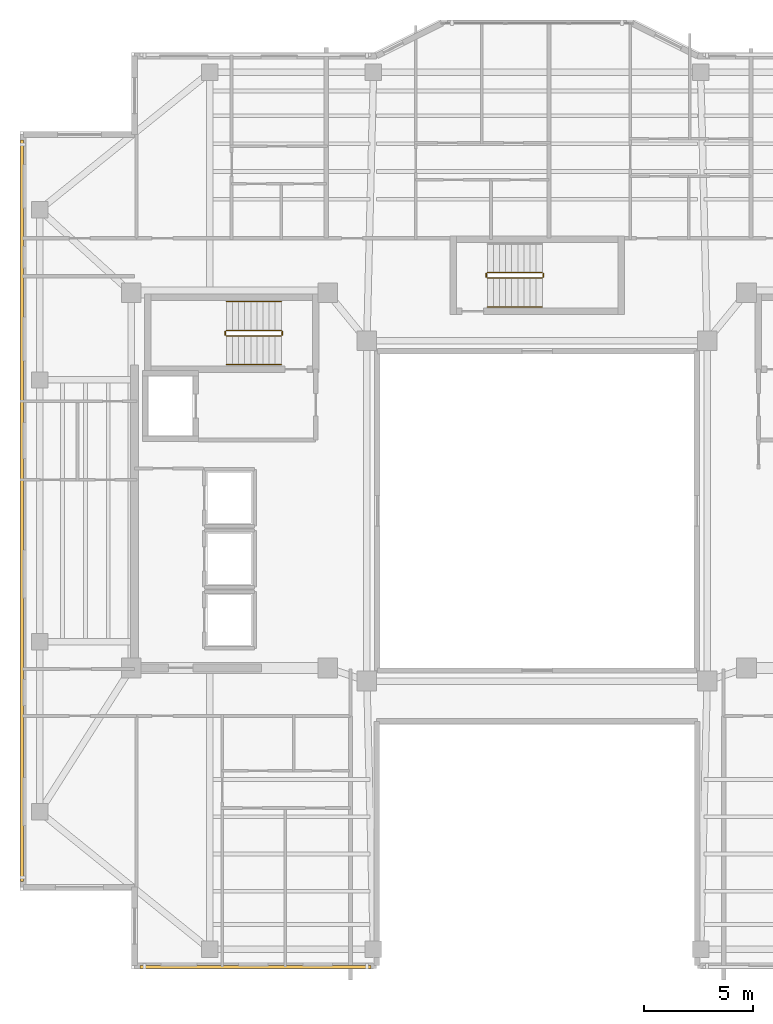
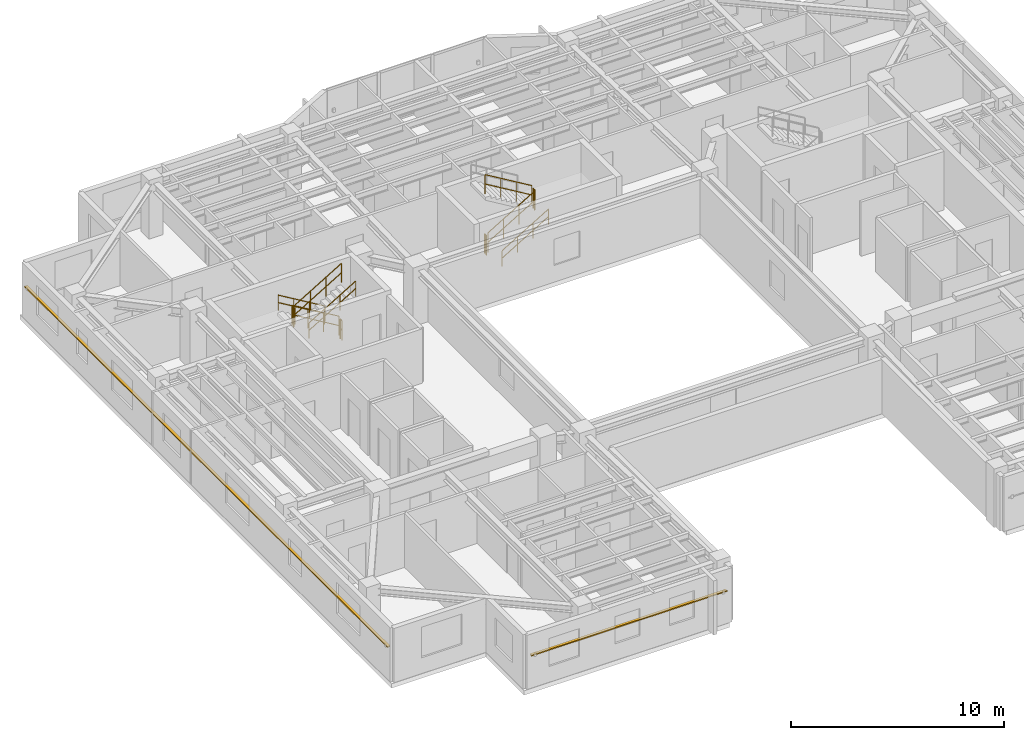
# One storey, part 10 of 12: 11 railings, 2 shading devices.
"""IFC4 building model written with IfcOpenShell, lengths in metres."""

import ifcopenshell
import ifcopenshell.guid

model = None  # the IFC model being written
_history = None  # IfcOwnerHistory: only IFC2X3 demands one
_inside = {}  # id of a spatial element -> (the spatial element, [elements in it])
_under = {}  # id of a project, library or spatial element -> (it, [spatial elements below it])
_declared = {}  # id of a project -> (the project, [libraries it declares])
_typed = {}  # id of a type object -> (the type object, [elements of that type])
_made_of = {}  # id of a material, layer set ... -> (it, [elements and type objects made of it])


def new_model(schema):
    """Start an empty IFC model of exactly this schema.

    Asked for "IFC4X3", IfcOpenShell would pick the latest addendum, in which some entities
    have other attributes; the version numbers below select the first issue.
    IFC2X3 requires an IfcOwnerHistory on every rooted entity: one is made here for all.
    """
    global model, _history
    if schema == "IFC4X3":
        model = ifcopenshell.file(schema_version=(4, 3, 0, 0))
    else:
        model = ifcopenshell.file(schema=schema)
    _inside.clear()
    _under.clear()
    _declared.clear()
    _typed.clear()
    _made_of.clear()
    _history = None
    if model.schema == "IFC2X3":
        org = make("IfcOrganization", Name="unknown")
        user = make(
            "IfcPersonAndOrganization",
            ThePerson=make("IfcPerson", FamilyName="unknown"),
            TheOrganization=org,
        )
        app = make(
            "IfcApplication",
            ApplicationDeveloper=org,
            Version="unknown",
            ApplicationFullName="unknown",
            ApplicationIdentifier="unknown",
        )
        _history = make(
            "IfcOwnerHistory",
            OwningUser=user,
            OwningApplication=app,
            ChangeAction="ADDED",
            CreationDate=0,
        )
    return model


def make(cls, **values):
    """One entity of the class cls with the attributes given. An attribute that is None is left unset."""
    return model.create_entity(
        cls, **{name: value for name, value in values.items() if value is not None}
    )


def rooted(cls, **values):
    """An entity with a GlobalId (a new one), such as an element, a storey or a relation."""
    return make(cls, GlobalId=ifcopenshell.guid.new(), OwnerHistory=_history, **values)


def si_unit(unit_type, name, prefix=None):
    """IfcSIUnit, for example si_unit("LENGTHUNIT", "METRE", prefix="MILLI")."""
    return make("IfcSIUnit", UnitType=unit_type, Prefix=prefix, Name=name)


def assignment(units):
    """IfcUnitAssignment: the units of a project."""
    return None if units is None else make("IfcUnitAssignment", Units=units)


def point(xyz):
    """IfcCartesianPoint."""
    return None if xyz is None else make("IfcCartesianPoint", Coordinates=xyz)


def direction(xyz):
    """IfcDirection."""
    return None if xyz is None else make("IfcDirection", DirectionRatios=xyz)


def frame(location, z_axis=None, x_axis=None):
    """IfcAxis2Placement3D, a coordinate frame: its origin and axes. An axis left out is left unset."""
    return make(
        "IfcAxis2Placement3D",
        Location=point(location),
        Axis=direction(z_axis),
        RefDirection=direction(x_axis),
    )


def frame_2d(location, x_axis=None):
    """IfcAxis2Placement2D, a coordinate frame in the plane: its origin and x axis."""
    return make(
        "IfcAxis2Placement2D", Location=point(location), RefDirection=direction(x_axis)
    )


def origin():
    """The frame at (0, 0, 0) with its axes left unset."""
    return frame((0.0, 0.0, 0.0))


def origin_2d():
    """The frame at (0, 0) in the plane with its x axis left unset."""
    return frame_2d((0.0, 0.0))


def place(relative_to, where):
    """IfcLocalPlacement: puts the frame where relative to a parent placement (None: the world)."""
    return make(
        "IfcLocalPlacement", PlacementRelTo=relative_to, RelativePlacement=where
    )


def context(
    kind, dimensions, precision=None, world=None, true_north=None, identifier=None
):
    """IfcGeometricRepresentationContext, for example the 3D "Model" context."""
    return make(
        "IfcGeometricRepresentationContext",
        ContextIdentifier=identifier,
        ContextType=kind,
        CoordinateSpaceDimension=dimensions,
        Precision=precision,
        WorldCoordinateSystem=world,
        TrueNorth=true_north,
    )


def subcontext(parent, identifier, kind, view, scale=None):
    """IfcGeometricRepresentationSubContext, for example "Body" below "Model"."""
    return make(
        "IfcGeometricRepresentationSubContext",
        ContextIdentifier=identifier,
        ContextType=kind,
        ParentContext=parent,
        TargetScale=scale,
        TargetView=view,
    )


def project(units=None, contexts=None):
    """IfcProject with its units and contexts."""
    return rooted(
        "IfcProject",
        Name="project",
        RepresentationContexts=contexts,
        UnitsInContext=assignment(units),
    )


def spatial(cls, under=None, at=None, **own):
    """A site, building, storey or space (cls), placed at a placement, below another one or the project."""
    s = rooted(cls, ObjectPlacement=at, **own)
    if under is not None:
        _under.setdefault(under.id(), (under, []))[1].append(s)
    return s


def profile(cls, at=None, kind="AREA", **sizes):
    """A parametric profile (cls). Its sizes go by their IFC names, for example OverallWidth=200.0."""
    return make(cls, ProfileType=kind, Position=at, **sizes)


def rectangle(**sizes):
    """IfcRectangleProfileDef."""
    return profile("IfcRectangleProfileDef", **sizes)


def circle(**sizes):
    """IfcCircleProfileDef."""
    return profile("IfcCircleProfileDef", **sizes)


def extrude(swept, where, along, depth):
    """IfcExtrudedAreaSolid: the profile swept, set in the frame where, extruded along a direction by depth."""
    return make(
        "IfcExtrudedAreaSolid",
        SweptArea=swept,
        Position=where,
        ExtrudedDirection=direction(along),
        Depth=depth,
    )


def shape(context_of_items, identifier, shape_type, items):
    """IfcShapeRepresentation: the items that make up one representation, for example the "Body"."""
    return make(
        "IfcShapeRepresentation",
        ContextOfItems=context_of_items,
        RepresentationIdentifier=identifier,
        RepresentationType=shape_type,
        Items=items,
    )


def material(Name=None, Category=None):
    """IfcMaterial."""
    return make("IfcMaterial", Name=Name, Category=Category)


def material_profile(
    of_material, cross_section, Name=None, Category=None, Priority=None
):
    """IfcMaterialProfile: a cross section and its material."""
    return make(
        "IfcMaterialProfile",
        Name=Name,
        Material=of_material,
        Profile=cross_section,
        Priority=Priority,
        Category=Category,
    )


def profile_set(profiles, Name=None, composite=None):
    """IfcMaterialProfileSet."""
    return make(
        "IfcMaterialProfileSet",
        Name=Name,
        MaterialProfiles=profiles,
        CompositeProfile=composite,
    )


def made_of(thing, what):
    """Note that an element or type object is made of a material, layer set ...; save() writes the relation."""
    if what is not None:
        _made_of.setdefault(what.id(), (what, []))[1].append(thing)
    return thing


def type_object(cls, material=None, **own):
    """A type object (cls), such as IfcWallType, which elements share."""
    return made_of(rooted(cls, **own), material)


def element(
    cls,
    number,
    at=None,
    inside=None,
    cuts=None,
    type_object=None,
    material=None,
    context=None,
    identifier="Body",
    shape_type=None,
    held_by="IfcProductDefinitionShape",
    body=None,
    shapes=None,
    **own,
):
    """One element of the class cls, such as IfcWall. Its Tag is "e" and its number.

    at: its placement. inside: the storey or other place that contains it. cuts: it is an
    opening in that element (IfcRelVoidsElement). A single representation is given by context,
    identifier, shape_type and body (its items); several are given by shapes. held_by: the class
    of the entity that holds the representations. save() writes the other relations.
    """
    e = rooted(cls, Tag="e%d" % number, ObjectPlacement=at, **own)
    if body is not None:
        shapes = [shape(context, identifier, shape_type, body)]
    if shapes is not None:
        e.Representation = make(held_by, Representations=shapes)
    if inside is not None:
        _inside.setdefault(inside.id(), (inside, []))[1].append(e)
    if cuts is not None:
        rooted(
            "IfcRelVoidsElement", RelatingBuildingElement=cuts, RelatedOpeningElement=e
        )
    if type_object is not None:
        _typed.setdefault(type_object.id(), (type_object, []))[1].append(e)
    return made_of(e, material)


def aggregate(whole, parts):
    """IfcRelAggregates: a whole, such as a stair, and the parts it consists of."""
    return rooted("IfcRelAggregates", RelatingObject=whole, RelatedObjects=parts)


def save(model, path):
    """Write the relations noted so far, then the file.

    IfcRelAggregates (storeys below a building ...), IfcRelContainedInSpatialStructure (elements
    in a storey), IfcRelDefinesByType, IfcRelAssociatesMaterial and IfcRelDeclares: one each for
    every whole, place, type object, material and project.
    """
    for whole, parts in _under.values():
        aggregate(whole, parts)
    for where, things in _inside.values():
        rooted(
            "IfcRelContainedInSpatialStructure",
            RelatedElements=things,
            RelatingStructure=where,
        )
    for kind, things in _typed.values():
        rooted("IfcRelDefinesByType", RelatedObjects=things, RelatingType=kind)
    for what, things in _made_of.values():
        rooted("IfcRelAssociatesMaterial", RelatedObjects=things, RelatingMaterial=what)
    for by, libraries in _declared.values():
        rooted("IfcRelDeclares", RelatingContext=by, RelatedDefinitions=libraries)
    model.write(path)


model = new_model("IFC4")

# Units and contexts
model_context = context("Model", 3, precision=1e-05, world=origin(), true_north=direction((0.0, 1.0)))
body_context = subcontext(model_context, "Body", "Model", "MODEL_VIEW")
ifc_project = project(units=[si_unit("LENGTHUNIT", "METRE"), si_unit("AREAUNIT", "SQUARE_METRE"), si_unit("VOLUMEUNIT", "CUBIC_METRE"), si_unit("PLANEANGLEUNIT", "RADIAN"), si_unit("MASSUNIT", "GRAM", prefix="KILO")], contexts=[model_context])

# Site, building, storey
site_placement = place(None, origin())
site = spatial("IfcSite", under=ifc_project, at=site_placement, CompositionType="ELEMENT")
building_placement = place(site_placement, origin())
building = spatial("IfcBuilding", under=site, at=building_placement, Name="Tarnavaz Court Tower", CompositionType="ELEMENT")
storey_placement = place(building_placement, frame((0.0, 0.0, 200.300048828125)))
storey = spatial("IfcBuildingStorey", under=building, at=storey_placement, Name="L54", CompositionType="ELEMENT", Elevation=200.300048828125)

# Railings
ifc_material_1 = material(Name="Brushed Stainless Steel", Category="steel")
railing_type_1 = type_object("IfcRailingType", Name="RL-HANDRAIL-900", PredefinedType="HANDRAIL", material=ifc_material_1)
railing_1_placement = place(storey_placement, frame((-11.719970703125, 9.590087890625, 0.16748046875)))
element("IfcRailing", 1, at=railing_1_placement, inside=storey, type_object=railing_type_1, Name="L54 ST-W1 stair handrail 1", PredefinedType="HANDRAIL", context=body_context, shape_type="SweptSolid", body=[
    extrude(circle(Radius=0.02392578125, at=origin_2d()), frame((0.0, 0.0, 0.8759765625), z_axis=(-0.858159760407, 0.0, 0.513382728203), x_axis=(0.0, -1.0, 0.0)), (0.0, 0.0, 1.0), 2.9365234375),
    extrude(circle(Radius=0.02392578125, at=origin_2d()), frame((0.0, 0.0, 0.449951171875), z_axis=(-0.858159760407, 0.0, 0.513382728203), x_axis=(0.0, -1.0, 0.0)), (0.0, 0.0, 1.0), 2.9365234375),
    extrude(circle(Radius=0.02099609375, at=origin_2d()), origin(), (0.0, 0.0, 1.0), 0.851806640625),
    extrude(circle(Radius=0.02099609375, at=origin_2d()), frame((-0.840087890625, 0.0, 0.50244140625)), (0.0, 0.0, 1.0), 0.851806640625),
    extrude(circle(Radius=0.02099609375, at=origin_2d()), frame((-1.679931640625, 0.0, 1.005126953125)), (0.0, 0.0, 1.0), 0.851806640625),
    extrude(circle(Radius=0.02099609375, at=origin_2d()), frame((-2.52001953125, 0.0, 1.507568359375)), (0.0, 0.0, 1.0), 0.851806640625),
])
railing_2_placement = place(storey_placement, frame((-14.239990234375, 6.699951171875, 1.842529296875)))
element("IfcRailing", 2, at=railing_2_placement, inside=storey, type_object=railing_type_1, Name="L54 ST-W1 stair handrail 2", PredefinedType="HANDRAIL", context=body_context, shape_type="SweptSolid", body=[
    extrude(circle(Radius=0.02392578125, at=origin_2d()), frame((0.0, 0.0, 0.8759765625), z_axis=(0.858196387827, 0.0, 0.513321497621), x_axis=(0.0, 1.0, 0.0)), (0.0, 0.0, 1.0), 2.9365234375),
    extrude(circle(Radius=0.02392578125, at=origin_2d()), frame((0.0, 0.0, 0.449951171875), z_axis=(0.858196387827, 0.0, 0.513321497621), x_axis=(0.0, 1.0, 0.0)), (0.0, 0.0, 1.0), 2.9365234375),
    extrude(circle(Radius=0.02099609375, at=origin_2d()), origin(), (0.0, 0.0, 1.0), 0.851806640625),
    extrude(circle(Radius=0.02099609375, at=origin_2d()), frame((0.840087890625, 0.0, 0.50244140625)), (0.0, 0.0, 1.0), 0.851806640625),
    extrude(circle(Radius=0.02099609375, at=origin_2d()), frame((1.679931640625, 0.0, 1.0048828125)), (0.0, 0.0, 1.0), 0.851806640625),
    extrude(circle(Radius=0.02099609375, at=origin_2d()), frame((2.52001953125, 0.0, 1.50732421875)), (0.0, 0.0, 1.0), 0.851806640625),
])
railing_3_placement = place(storey_placement, frame((-2.280029296875, 9.35009765625, 0.16748046875)))
element("IfcRailing", 3, at=railing_3_placement, inside=storey, type_object=railing_type_1, Name="L54 ST-N1 stair handrail 1", PredefinedType="HANDRAIL", context=body_context, shape_type="SweptSolid", body=[
    extrude(circle(Radius=0.02392578125, at=origin_2d()), frame((0.0, 0.0, 0.8759765625), z_axis=(0.858159760407, 0.0, 0.513382728203), x_axis=(0.0, 1.0, 0.0)), (0.0, 0.0, 1.0), 2.9365234375),
    extrude(circle(Radius=0.02392578125, at=origin_2d()), frame((0.0, 0.0, 0.449951171875), z_axis=(0.858159760407, 0.0, 0.513382728203), x_axis=(0.0, 1.0, 0.0)), (0.0, 0.0, 1.0), 2.9365234375),
    extrude(circle(Radius=0.02099609375, at=origin_2d()), origin(), (0.0, 0.0, 1.0), 0.851806640625),
    extrude(circle(Radius=0.02099609375, at=origin_2d()), frame((0.840087890625, 0.0, 0.50244140625)), (0.0, 0.0, 1.0), 0.851806640625),
    extrude(circle(Radius=0.02099609375, at=origin_2d()), frame((1.679931640625, 0.0, 1.005126953125)), (0.0, 0.0, 1.0), 0.851806640625),
    extrude(circle(Radius=0.02099609375, at=origin_2d()), frame((2.52001953125, 0.0, 1.507568359375)), (0.0, 0.0, 1.0), 0.851806640625),
])
ifc_material_2 = material(Name="Galvanized Painted Tubular Steel", Category="steel")
railing_type_2 = type_object("IfcRailingType", Name="RL-STGUARD-1120", PredefinedType="GUARDRAIL", material=ifc_material_2)
railing_4_placement = place(storey_placement, frame((-11.719970703125, 8.27001953125, 0.16748046875)))
element("IfcRailing", 4, at=railing_4_placement, inside=storey, type_object=railing_type_2, Name="L54 ST-W1 stair guard 1", PredefinedType="GUARDRAIL", context=body_context, shape_type="SweptSolid", body=[
    extrude(circle(Radius=0.02392578125, at=origin_2d()), frame((0.0, 0.0, 1.09619140625), z_axis=(-0.858159760407, 0.0, 0.513382728203), x_axis=(0.0, -1.0, 0.0)), (0.0, 0.0, 1.0), 2.9365234375),
    extrude(circle(Radius=0.02392578125, at=origin_2d()), frame((0.0, 0.0, 0.56005859375), z_axis=(-0.858159760407, 0.0, 0.513382728203), x_axis=(0.0, -1.0, 0.0)), (0.0, 0.0, 1.0), 2.9365234375),
    extrude(circle(Radius=0.02099609375, at=origin_2d()), origin(), (0.0, 0.0, 1.0), 1.072021484375),
    extrude(circle(Radius=0.02099609375, at=origin_2d()), frame((-0.840087890625, 0.0, 0.50244140625)), (0.0, 0.0, 1.0), 1.072021484375),
    extrude(circle(Radius=0.02099609375, at=origin_2d()), frame((-1.679931640625, 0.0, 1.005126953125)), (0.0, 0.0, 1.0), 1.072021484375),
    extrude(circle(Radius=0.02099609375, at=origin_2d()), frame((-2.52001953125, 0.0, 1.507568359375)), (0.0, 0.0, 1.0), 1.072021484375),
])
railing_5_placement = place(storey_placement, frame((-14.2900390625, 8.219970703125, 1.675048828125)))
element("IfcRailing", 5, at=railing_5_placement, inside=storey, type_object=railing_type_2, Name="L54 ST-W1 stair guard 2", PredefinedType="GUARDRAIL", context=body_context, shape_type="SweptSolid", body=[
    extrude(circle(Radius=0.02392578125, at=origin_2d()), frame((0.0, 0.0, 1.09619140625), z_axis=(0.0, -1.0, 0.0), x_axis=(1.0, 0.0, 0.0)), (0.0, 0.0, 1.0), 0.14990234375),
    extrude(circle(Radius=0.02392578125, at=origin_2d()), frame((0.0, 0.0, 0.56005859375), z_axis=(0.0, -1.0, 0.0), x_axis=(1.0, 0.0, 0.0)), (0.0, 0.0, 1.0), 0.14990234375),
    extrude(circle(Radius=0.02099609375, at=origin_2d()), origin(), (0.0, 0.0, 1.0), 1.072021484375),
    extrude(circle(Radius=0.02099609375, at=origin_2d()), frame((0.0, -0.14990234375, 0.0)), (0.0, 0.0, 1.0), 1.072021484375),
])
railing_6_placement = place(storey_placement, frame((-14.239990234375, 8.02001953125, 1.842529296875)))
element("IfcRailing", 6, at=railing_6_placement, inside=storey, type_object=railing_type_2, Name="L54 ST-W1 stair guard 3", PredefinedType="GUARDRAIL", context=body_context, shape_type="SweptSolid", body=[
    extrude(circle(Radius=0.02392578125, at=origin_2d()), frame((0.0, 0.0, 1.09619140625), z_axis=(0.858196387827, 0.0, 0.513321497621), x_axis=(0.0, 1.0, 0.0)), (0.0, 0.0, 1.0), 2.9365234375),
    extrude(circle(Radius=0.02392578125, at=origin_2d()), frame((0.0, 0.0, 0.56005859375), z_axis=(0.858196387827, 0.0, 0.513321497621), x_axis=(0.0, 1.0, 0.0)), (0.0, 0.0, 1.0), 2.9365234375),
    extrude(circle(Radius=0.02099609375, at=origin_2d()), origin(), (0.0, 0.0, 1.0), 1.072021484375),
    extrude(circle(Radius=0.02099609375, at=origin_2d()), frame((0.840087890625, 0.0, 0.50244140625)), (0.0, 0.0, 1.0), 1.072021484375),
    extrude(circle(Radius=0.02099609375, at=origin_2d()), frame((1.679931640625, 0.0, 1.0048828125)), (0.0, 0.0, 1.0), 1.072021484375),
    extrude(circle(Radius=0.02099609375, at=origin_2d()), frame((2.52001953125, 0.0, 1.50732421875)), (0.0, 0.0, 1.0), 1.072021484375),
])
railing_7_placement = place(storey_placement, frame((-11.669921875, 8.219970703125, 0.0)))
element("IfcRailing", 7, at=railing_7_placement, inside=storey, type_object=railing_type_2, Name="L54 ST-W1 stair guard 4", PredefinedType="GUARDRAIL", context=body_context, shape_type="SweptSolid", body=[
    extrude(circle(Radius=0.02392578125, at=origin_2d()), frame((0.0, 0.0, 1.09619140625), z_axis=(0.0, -1.0, 0.0), x_axis=(1.0, 0.0, 0.0)), (0.0, 0.0, 1.0), 0.14990234375),
    extrude(circle(Radius=0.02392578125, at=origin_2d()), frame((0.0, 0.0, 0.56005859375), z_axis=(0.0, -1.0, 0.0), x_axis=(1.0, 0.0, 0.0)), (0.0, 0.0, 1.0), 0.14990234375),
    extrude(circle(Radius=0.02099609375, at=origin_2d()), origin(), (0.0, 0.0, 1.0), 1.072021484375),
    extrude(circle(Radius=0.02099609375, at=origin_2d()), frame((0.0, -0.14990234375, 0.0)), (0.0, 0.0, 1.0), 1.072021484375),
])
railing_8_placement = place(storey_placement, frame((-2.280029296875, 10.669921875, 0.16748046875)))
element("IfcRailing", 8, at=railing_8_placement, inside=storey, type_object=railing_type_2, Name="L54 ST-N1 stair guard 1", PredefinedType="GUARDRAIL", context=body_context, shape_type="SweptSolid", body=[
    extrude(circle(Radius=0.02392578125, at=origin_2d()), frame((0.0, 0.0, 1.09619140625), z_axis=(0.858159760407, 0.0, 0.513382728203), x_axis=(0.0, 1.0, 0.0)), (0.0, 0.0, 1.0), 2.9365234375),
    extrude(circle(Radius=0.02392578125, at=origin_2d()), frame((0.0, 0.0, 0.56005859375), z_axis=(0.858159760407, 0.0, 0.513382728203), x_axis=(0.0, 1.0, 0.0)), (0.0, 0.0, 1.0), 2.9365234375),
    extrude(circle(Radius=0.02099609375, at=origin_2d()), origin(), (0.0, 0.0, 1.0), 1.072021484375),
    extrude(circle(Radius=0.02099609375, at=origin_2d()), frame((0.840087890625, 0.0, 0.50244140625)), (0.0, 0.0, 1.0), 1.072021484375),
    extrude(circle(Radius=0.02099609375, at=origin_2d()), frame((1.679931640625, 0.0, 1.005126953125)), (0.0, 0.0, 1.0), 1.072021484375),
    extrude(circle(Radius=0.02099609375, at=origin_2d()), frame((2.52001953125, 0.0, 1.507568359375)), (0.0, 0.0, 1.0), 1.072021484375),
])
railing_9_placement = place(storey_placement, frame((0.2900390625, 10.719970703125, 1.675048828125)))
element("IfcRailing", 9, at=railing_9_placement, inside=storey, type_object=railing_type_2, Name="L54 ST-N1 stair guard 2", PredefinedType="GUARDRAIL", context=body_context, shape_type="SweptSolid", body=[
    extrude(circle(Radius=0.02392578125, at=origin_2d()), frame((0.0, 0.0, 1.09619140625), z_axis=(0.0, 1.0, 0.0), x_axis=(-1.0, 0.0, 0.0)), (0.0, 0.0, 1.0), 0.150146484375),
    extrude(circle(Radius=0.02392578125, at=origin_2d()), frame((0.0, 0.0, 0.56005859375), z_axis=(0.0, 1.0, 0.0), x_axis=(-1.0, 0.0, 0.0)), (0.0, 0.0, 1.0), 0.150146484375),
    extrude(circle(Radius=0.02099609375, at=origin_2d()), origin(), (0.0, 0.0, 1.0), 1.072021484375),
    extrude(circle(Radius=0.02099609375, at=origin_2d()), frame((0.0, 0.150146484375, 0.0)), (0.0, 0.0, 1.0), 1.072021484375),
])
railing_10_placement = place(storey_placement, frame((0.239990234375, 10.919921875, 1.842529296875)))
element("IfcRailing", 10, at=railing_10_placement, inside=storey, type_object=railing_type_2, Name="L54 ST-N1 stair guard 3", PredefinedType="GUARDRAIL", context=body_context, shape_type="SweptSolid", body=[
    extrude(circle(Radius=0.02392578125, at=origin_2d()), frame((0.0, 0.0, 1.09619140625), z_axis=(-0.858196387827, 0.0, 0.513321497621), x_axis=(0.0, -1.0, 0.0)), (0.0, 0.0, 1.0), 2.9365234375),
    extrude(circle(Radius=0.02392578125, at=origin_2d()), frame((0.0, 0.0, 0.56005859375), z_axis=(-0.858196387827, 0.0, 0.513321497621), x_axis=(0.0, -1.0, 0.0)), (0.0, 0.0, 1.0), 2.9365234375),
    extrude(circle(Radius=0.02099609375, at=origin_2d()), origin(), (0.0, 0.0, 1.0), 1.072021484375),
    extrude(circle(Radius=0.02099609375, at=origin_2d()), frame((-0.840087890625, 0.0, 0.50244140625)), (0.0, 0.0, 1.0), 1.072021484375),
    extrude(circle(Radius=0.02099609375, at=origin_2d()), frame((-1.679931640625, 0.0, 1.0048828125)), (0.0, 0.0, 1.0), 1.072021484375),
    extrude(circle(Radius=0.02099609375, at=origin_2d()), frame((-2.52001953125, 0.0, 1.50732421875)), (0.0, 0.0, 1.0), 1.072021484375),
])
railing_11_placement = place(storey_placement, frame((-2.330078125, 10.719970703125, 0.0)))
element("IfcRailing", 11, at=railing_11_placement, inside=storey, type_object=railing_type_2, Name="L54 ST-N1 stair guard 4", PredefinedType="GUARDRAIL", context=body_context, shape_type="SweptSolid", body=[
    extrude(circle(Radius=0.02392578125, at=origin_2d()), frame((0.0, 0.0, 1.09619140625), z_axis=(0.0, 1.0, 0.0), x_axis=(-1.0, 0.0, 0.0)), (0.0, 0.0, 1.0), 0.150146484375),
    extrude(circle(Radius=0.02392578125, at=origin_2d()), frame((0.0, 0.0, 0.56005859375), z_axis=(0.0, 1.0, 0.0), x_axis=(-1.0, 0.0, 0.0)), (0.0, 0.0, 1.0), 0.150146484375),
    extrude(circle(Radius=0.02099609375, at=origin_2d()), origin(), (0.0, 0.0, 1.0), 1.072021484375),
    extrude(circle(Radius=0.02099609375, at=origin_2d()), frame((0.0, 0.150146484375, 0.0)), (0.0, 0.0, 1.0), 1.072021484375),
])

# Shading devices
ifc_material_3 = material(Name="Kiln-Fired Khorasan Terracotta Ceramic", Category="masonry")
ifc_material_profile = material_profile(ifc_material_3, rectangle(XDim=0.14990234375, YDim=0.06494140625, at=origin_2d()), Name="TC BAGUETTE 150X65")
ifc_profile_set = profile_set([ifc_material_profile], Name="Kiln-Fired Khorasan Terracotta Ceramic")
shading_device_type = type_object("IfcShadingDeviceType", Name="SD-BAG-150", PredefinedType="USERDEFINED", material=ifc_profile_set)
shading_device_1_placement = place(storey_placement, frame((-23.610107421875, -17.0, 1.849853515625), z_axis=(0.0, 1.0, 0.0), x_axis=(-1.0, 0.0, 0.0)))
element("IfcShadingDevice", 12, at=shading_device_1_placement, inside=storey, type_object=shading_device_type, Name="L54 Terracotta Baguette Screen FBG02", ObjectType="BAGUETTE", PredefinedType="USERDEFINED", context=body_context, shape_type="SweptSolid", body=[
    extrude(rectangle(XDim=0.14990234375, YDim=0.06494140625, at=origin_2d()), origin(), (0.0, 0.0, 1.0), 34.0),
])
shading_device_2_placement = place(storey_placement, frame((-7.60009765625, -20.909912109375, 1.849853515625), z_axis=(-1.0, 0.0, 0.0), x_axis=(0.0, -1.0, 0.0)))
element("IfcShadingDevice", 13, at=shading_device_2_placement, inside=storey, type_object=shading_device_type, Name="L54 Terracotta Baguette Screen FBG19", ObjectType="BAGUETTE", PredefinedType="USERDEFINED", context=body_context, shape_type="SweptSolid", body=[
    extrude(rectangle(XDim=0.14990234375, YDim=0.06494140625, at=origin_2d()), origin(), (0.0, 0.0, 1.0), 10.599853515625),
])

save(model, "model.ifc")
